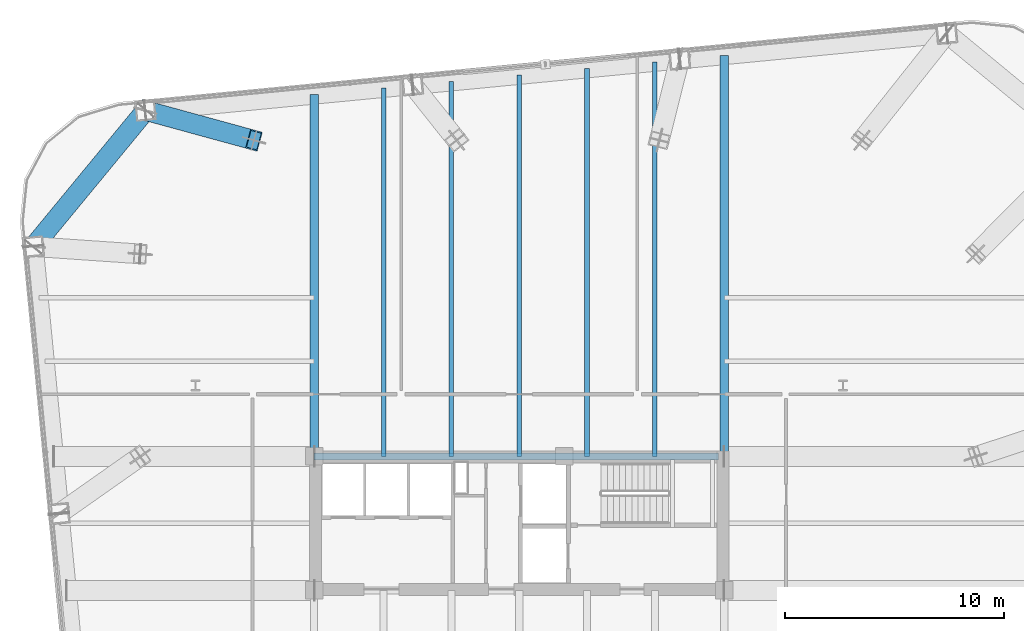
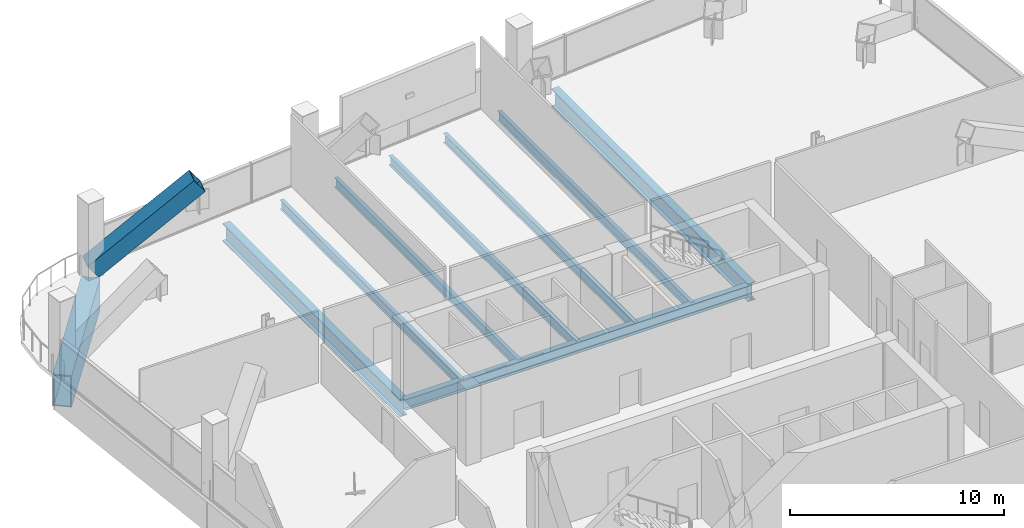
# One storey, part 15 of 30: 9 beams, 1 member.
"""IFC4 building model written with IfcOpenShell, lengths in metres."""

from ifc_helpers import new_model, si_unit, direction, frame, origin, origin_2d, place, context, subcontext, project, spatial, hollow_rectangle, i_section, extrude, material, material_profile, profile_set, type_object, element, save


model = new_model("IFC4")

# Units and contexts
model_context = context("Model", 3, precision=1e-05, world=origin(), true_north=direction((0.0, 1.0)))
body_context = subcontext(model_context, "Body", "Model", "MODEL_VIEW")
ifc_project = project(units=[si_unit("LENGTHUNIT", "METRE"), si_unit("AREAUNIT", "SQUARE_METRE"), si_unit("VOLUMEUNIT", "CUBIC_METRE"), si_unit("PLANEANGLEUNIT", "RADIAN"), si_unit("MASSUNIT", "GRAM", prefix="KILO")], contexts=[model_context])

# Site, building, storey
site_placement = place(None, origin())
site = spatial("IfcSite", under=ifc_project, at=site_placement, CompositionType="ELEMENT")
building_placement = place(site_placement, origin())
building = spatial("IfcBuilding", under=site, at=building_placement, Name="Qhalaya Broadcast Tower", CompositionType="ELEMENT")
storey_placement = place(building_placement, frame((0.0, 0.0, 96.89990234375)))
storey = spatial("IfcBuildingStorey", under=building, at=storey_placement, Name="L28", CompositionType="ELEMENT", Elevation=96.89990234375)

# Beams
ifc_material_1 = material(Name="Structural Steel ASTM A572 Grade 50", Category="steel")
ifc_material_profile_1 = material_profile(ifc_material_1, hollow_rectangle(XDim=0.89990234375, YDim=1.800048828125, WallThickness=0.06005859375, at=origin_2d()), Name="BOX 900x1800x60")
ifc_profile_set_1 = profile_set([ifc_material_profile_1], Name="Structural Steel ASTM A572 Grade 50")
beam_type_1 = type_object("IfcBeamType", Name="Block Cantilever Transfer Box Girder TG1", PredefinedType="USERDEFINED", material=ifc_profile_set_1)
beam_1_placement = place(storey_placement, frame((-17.085205078125, 25.765380859375, -1.119873046875), z_axis=(-0.636085107008, -0.771618906354, 0.0), x_axis=(0.771618906354, -0.636085107008, 0.0)))
element("IfcBeam", 1, at=beam_1_placement, inside=storey, type_object=beam_type_1, Name="L28 TG1 L28-SPR-12", ObjectType="GIRDER", PredefinedType="USERDEFINED", context=body_context, shape_type="SweptSolid", body=[
    extrude(hollow_rectangle(XDim=0.89990234375, YDim=1.800048828125, WallThickness=0.06005859375, at=origin_2d()), origin(), (0.0, 0.0, 1.0), 8.06103515625),
])
ifc_material_2 = material(Name="Structural Steel ASTM A992 Grade 50", Category="steel")
ifc_material_profile_2 = material_profile(ifc_material_2, i_section(OverallWidth=0.2099609375, OverallDepth=0.535888671875, WebThickness=0.010986328125, FlangeThickness=0.017333984375, at=origin_2d()), Name="W21X68")
ifc_profile_set_2 = profile_set([ifc_material_profile_2], Name="Structural Steel ASTM A992 Grade 50")
beam_type_2 = type_object("IfcBeamType", Name="Composite Floor Joist J02", PredefinedType="JOIST", material=ifc_profile_set_2)
beam_2_placement = place(storey_placement, frame((-6.199951171875, 9.949951171875, -0.48779296875), z_axis=(0.0, 1.0, 0.0), x_axis=(-1.0, 0.0, 0.0)))
element("IfcBeam", 2, at=beam_2_placement, inside=storey, type_object=beam_type_2, Name="L28 J02 L28-JNN1-1", PredefinedType="JOIST", context=body_context, shape_type="SweptSolid", body=[
    extrude(i_section(OverallWidth=0.2099609375, OverallDepth=0.535888671875, WebThickness=0.010986328125, FlangeThickness=0.017333984375, at=origin_2d()), origin(), (0.0, 0.0, 1.0), 16.843505859375),
])
beam_3_placement = place(storey_placement, frame((-3.10009765625, 9.949951171875, -0.48779296875), z_axis=(0.0, 1.0, 0.0), x_axis=(-1.0, 0.0, 0.0)))
element("IfcBeam", 3, at=beam_3_placement, inside=storey, type_object=beam_type_2, Name="L28 J02 L28-JNN2-1", PredefinedType="JOIST", context=body_context, shape_type="SweptSolid", body=[
    extrude(i_section(OverallWidth=0.2099609375, OverallDepth=0.535888671875, WebThickness=0.010986328125, FlangeThickness=0.017333984375, at=origin_2d()), origin(), (0.0, 0.0, 1.0), 17.14208984375),
])
beam_4_placement = place(storey_placement, frame((0.0, 9.949951171875, -0.48779296875), z_axis=(0.0, 1.0, 0.0), x_axis=(-1.0, 0.0, 0.0)))
element("IfcBeam", 4, at=beam_4_placement, inside=storey, type_object=beam_type_2, Name="L28 J02 L28-JNN3-1", PredefinedType="JOIST", context=body_context, shape_type="SweptSolid", body=[
    extrude(i_section(OverallWidth=0.2099609375, OverallDepth=0.535888671875, WebThickness=0.010986328125, FlangeThickness=0.017333984375, at=origin_2d()), origin(), (0.0, 0.0, 1.0), 17.4404296875),
])
beam_5_placement = place(storey_placement, frame((3.10009765625, 9.949951171875, -0.48779296875), z_axis=(0.0, 1.0, 0.0), x_axis=(-1.0, 0.0, 0.0)))
element("IfcBeam", 5, at=beam_5_placement, inside=storey, type_object=beam_type_2, Name="L28 J02 L28-JNN4-1", PredefinedType="JOIST", context=body_context, shape_type="SweptSolid", body=[
    extrude(i_section(OverallWidth=0.2099609375, OverallDepth=0.535888671875, WebThickness=0.010986328125, FlangeThickness=0.017333984375, at=origin_2d()), origin(), (0.0, 0.0, 1.0), 17.739013671875),
])
beam_6_placement = place(storey_placement, frame((6.199951171875, 9.949951171875, -0.48779296875), z_axis=(0.0, 1.0, 0.0), x_axis=(-1.0, 0.0, 0.0)))
element("IfcBeam", 6, at=beam_6_placement, inside=storey, type_object=beam_type_2, Name="L28 J02 L28-JNN5-1", PredefinedType="JOIST", context=body_context, shape_type="SweptSolid", body=[
    extrude(i_section(OverallWidth=0.2099609375, OverallDepth=0.535888671875, WebThickness=0.010986328125, FlangeThickness=0.017333984375, at=origin_2d()), origin(), (0.0, 0.0, 1.0), 18.03759765625),
])
ifc_material_profile_3 = material_profile(ifc_material_2, i_section(OverallWidth=0.323974609375, OverallDepth=0.612060546875, WebThickness=0.0126953125, FlangeThickness=0.01904296875, at=origin_2d()), Name="W24X104")
ifc_profile_set_3 = profile_set([ifc_material_profile_3], Name="Structural Steel ASTM A992 Grade 50")
beam_type_3 = type_object("IfcBeamType", Name="Core Frame Tie Beam B04", PredefinedType="BEAM", material=ifc_profile_set_3)
beam_7_placement = place(storey_placement, frame((-9.375, 9.949951171875, -0.52587890625), z_axis=(1.0, 0.0, 0.0), x_axis=(0.0, 1.0, 0.0)))
element("IfcBeam", 7, at=beam_7_placement, inside=storey, type_object=beam_type_3, Name="L28 B04 L28-CCN3", PredefinedType="BEAM", context=body_context, shape_type="SweptSolid", body=[
    extrude(i_section(OverallWidth=0.323974609375, OverallDepth=0.612060546875, WebThickness=0.0126953125, FlangeThickness=0.01904296875, at=origin_2d()), origin(), (0.0, 0.0, 1.0), 18.4951171875),
])

# Member
ifc_material_profile_4 = material_profile(ifc_material_1, hollow_rectangle(XDim=0.89990234375, YDim=0.89990234375, WallThickness=0.054931640625, at=origin_2d()), Name="BOX 900x900x55")
ifc_profile_set_4 = profile_set([ifc_material_profile_4], Name="Structural Steel ASTM A572 Grade 50")
member_type = type_object("IfcMemberType", Name="Heavy Exoskeleton Transfer Strut RK1", PredefinedType="BRACE", material=ifc_profile_set_4)
member_placement = place(storey_placement, frame((-17.085205078125, 25.765380859375, 0.36572265625), z_axis=(0.76219710594, -0.208489842448, 0.612851986448), x_axis=(0.263845156937, 0.964565048693, 0.0)))
element("IfcMember", 8, at=member_placement, inside=storey, type_object=member_type, Name="L28 Inclined Exoskeleton Transfer Strut 12", PredefinedType="BRACE", context=body_context, shape_type="SweptSolid", body=[
    extrude(hollow_rectangle(XDim=0.89990234375, YDim=0.89990234375, WallThickness=0.054931640625, at=origin_2d()), origin(), (0.0, 0.0, 1.0), 6.50146484375),
])

# Beams
ifc_material_profile_5 = material_profile(ifc_material_2, i_section(OverallWidth=0.40087890625, OverallDepth=1.010986328125, WebThickness=0.023681640625, FlangeThickness=0.0419921875, at=origin_2d()), Name="W40X297")
ifc_profile_set_5 = profile_set([ifc_material_profile_5], Name="Structural Steel ASTM A992 Grade 50")
beam_type_4 = type_object("IfcBeamType", Name="Lower Block Primary Girder PG2", PredefinedType="USERDEFINED", material=ifc_profile_set_5)
beam_8_placement = place(storey_placement, frame((-9.375, 9.949951171875, -0.725341796875), z_axis=(0.0, 1.0, 0.0), x_axis=(-1.0, 0.0, 0.0)))
element("IfcBeam", 9, at=beam_8_placement, inside=storey, type_object=beam_type_4, Name="L28 PG2 L28-PGXN1-1", ObjectType="GIRDER", PredefinedType="USERDEFINED", context=body_context, shape_type="SweptSolid", body=[
    extrude(i_section(OverallWidth=0.40087890625, OverallDepth=1.010986328125, WebThickness=0.023681640625, FlangeThickness=0.0419921875, at=origin_2d()), origin(), (0.0, 0.0, 1.0), 16.537841796875),
])
beam_9_placement = place(storey_placement, frame((9.375, 9.949951171875, -0.725341796875), z_axis=(0.0, 1.0, 0.0), x_axis=(-1.0, 0.0, 0.0)))
element("IfcBeam", 10, at=beam_9_placement, inside=storey, type_object=beam_type_4, Name="L28 PG2 L28-PGXN2-1", ObjectType="GIRDER", PredefinedType="USERDEFINED", context=body_context, shape_type="SweptSolid", body=[
    extrude(i_section(OverallWidth=0.40087890625, OverallDepth=1.010986328125, WebThickness=0.023681640625, FlangeThickness=0.0419921875, at=origin_2d()), origin(), (0.0, 0.0, 1.0), 18.34326171875),
])

save(model, "model.ifc")
